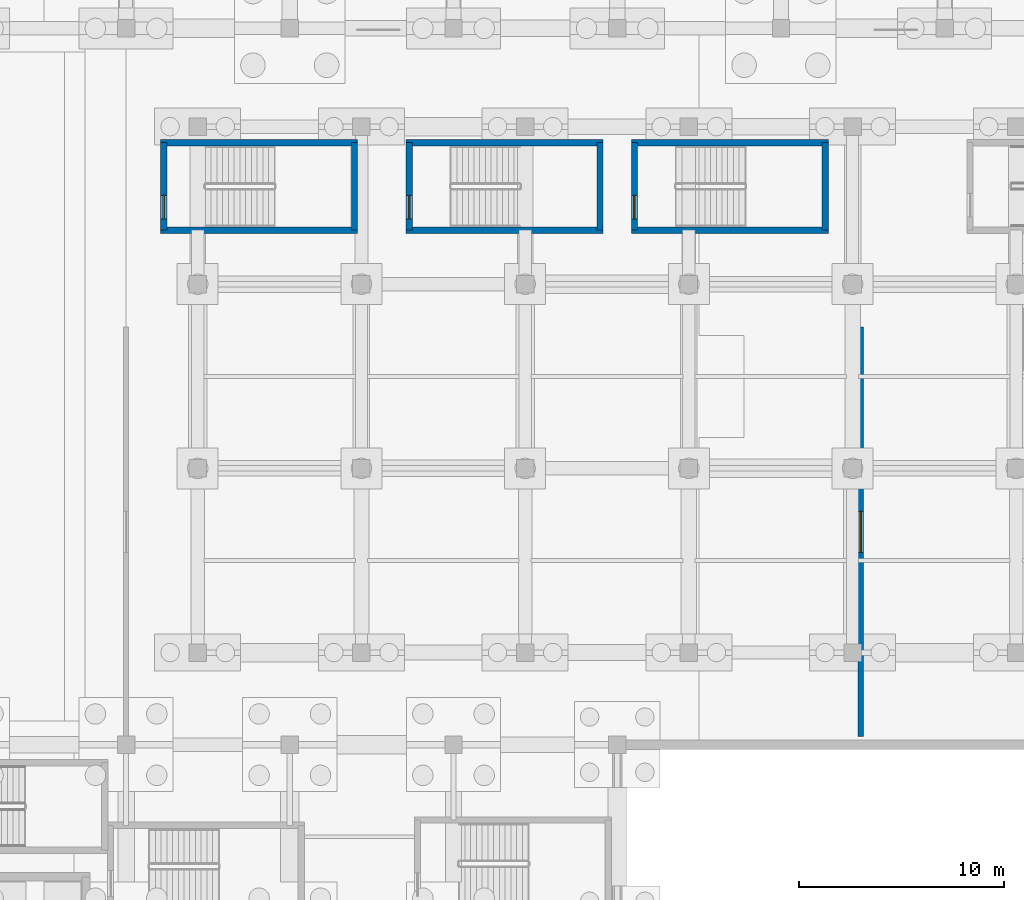
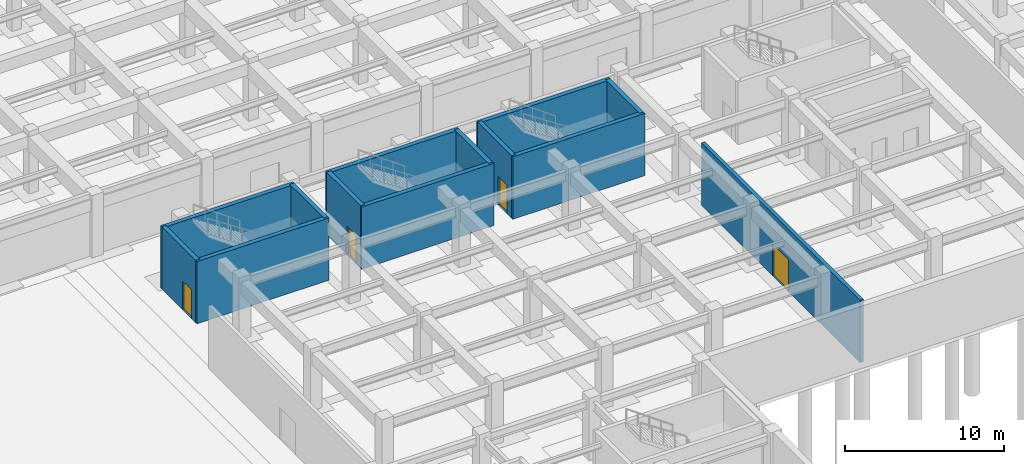
# One storey, part 31 of 48: 13 walls, 4 doors, 4 openings.
"""IFC4 building model written with IfcOpenShell, lengths in metres."""

from ifc_helpers import new_model, si_unit, direction, frame, frame_2d, origin, place, context, subcontext, project, spatial, rectangle, extrude, material, layer, layer_set, type_object, element, fill, save


model = new_model("IFC4")

# Units and contexts
model_context = context("Model", 3, precision=1e-05, world=origin(), true_north=direction((0.0, 1.0)))
body_context = subcontext(model_context, "Body", "Model", "MODEL_VIEW")
ifc_project = project(units=[si_unit("LENGTHUNIT", "METRE"), si_unit("AREAUNIT", "SQUARE_METRE"), si_unit("VOLUMEUNIT", "CUBIC_METRE"), si_unit("PLANEANGLEUNIT", "RADIAN"), si_unit("MASSUNIT", "GRAM", prefix="KILO")], contexts=[model_context])

# Site, building, storey
site_placement = place(None, origin())
site = spatial("IfcSite", under=ifc_project, at=site_placement, CompositionType="ELEMENT")
building_placement = place(site_placement, origin())
building = spatial("IfcBuilding", under=site, at=building_placement, Name="Tlacozan Convention Centre", CompositionType="ELEMENT")
storey_placement = place(building_placement, frame((0.0, 0.0, -4.800048828125)))
storey = spatial("IfcBuildingStorey", under=building, at=storey_placement, Name="B01", CompositionType="ELEMENT", Elevation=-4.800048828125)

# Wall, opening, door
ifc_material_1 = material(Name="Concrete C40/50", Category="concrete")
ifc_layer_1 = layer(ifc_material_1, 0.260009765625)
ifc_layer_set_1 = layer_set([ifc_layer_1], Name="Concrete C40/50")
wall_type_1 = type_object("IfcWallType", Name="Compartment Rated Wall RC 260", PredefinedType="SOLIDWALL", material=ifc_layer_set_1)
wall_1_placement = place(storey_placement, frame((123.89990234375, 27.39990234375, 0.0), z_axis=(0.0, 0.0, 1.0), x_axis=(0.0, 1.0, 0.0)))
wall_1 = element("IfcWall", 1, at=wall_1_placement, inside=storey, type_object=wall_type_1, Name="B01 Compartment Rated Wall RC 260 570", PredefinedType="SOLIDWALL", context=body_context, shape_type="SweptSolid", body=[
    extrude(rectangle(XDim=20.0, YDim=0.260009765625, at=frame_2d((10.0, 0.0))), origin(), (0.0, 0.0, 1.0), 4.800048828125),
])
opening_1_placement = place(wall_1_placement, frame((9.0, 0.0, 0.0)))
opening_1 = element("IfcOpeningElement", 2, at=opening_1_placement, cuts=wall_1, Name="Opening ID-12", PredefinedType="OPENING", context=body_context, shape_type="SweptSolid", body=[
    extrude(rectangle(XDim=2.0, YDim=2.449951171875, at=frame_2d((1.0, 1.22509765625))), frame((0.0, 0.139892578125, 0.0), z_axis=(0.0, -1.0, 0.0), x_axis=(1.0, 0.0, 0.0)), (0.0, 0.0, 1.0), 0.280029296875),
])
ifc_material_2 = material(Name="Fire-Rated Insulated Steel Door Leaf", Category="steel")
door_type_1 = type_object("IfcDoorType", Name="Plant Equipment Double Door 2000x2450", OperationType="DOUBLE_DOOR_SINGLE_SWING", PredefinedType="DOOR", material=ifc_material_2)
door_1_placement = place(opening_1_placement, origin())
door_1 = element("IfcDoor", 3, at=door_1_placement, inside=storey, type_object=door_type_1, Name="B01 Plant Equipment Double Door 2000x2450 156", OperationType="DOUBLE_DOOR_SINGLE_SWING", OverallHeight=2.449951171875, OverallWidth=2.0, PredefinedType="DOOR", context=body_context, shape_type="SweptSolid", body=[
    extrude(rectangle(XDim=2.0, YDim=2.449951171875, at=frame_2d((1.0, 1.22509765625))), frame((0.0, 0.02490234375, 0.0), z_axis=(0.0, -1.0, 0.0), x_axis=(1.0, 0.0, 0.0)), (0.0, 0.0, 1.0), 0.050048828125),
])
fill(opening_1, door_1)

# Walls
ifc_layer_2 = layer(ifc_material_1, 0.31005859375)
ifc_layer_set_2 = layer_set([ifc_layer_2], Name="Concrete C40/50")
wall_type_2 = type_object("IfcWallType", Name="Stair Shaft Shear Wall RC 310", PredefinedType="SHEAR", material=ifc_layer_set_2)
for number, where, z_axis, x_axis, name in (
    (4, (89.68505859375, 52.139892578125, 0.0), (0.0, 0.0, 1.0), (1.0, 0.0, 0.0), "B01 Stair Shaft Shear Wall RC 310 377"),
    (5, (89.68505859375, 56.419921875, 0.0), (0.0, 0.0, 1.0), (1.0, 0.0, 0.0), "B01 Stair Shaft Shear Wall RC 310 378"),
):
    element("IfcWall", number, at=place(storey_placement, frame(where, z_axis=z_axis, x_axis=x_axis)), inside=storey, type_object=wall_type_2, Name=name, PredefinedType="SHEAR", context=body_context, shape_type="SweptSolid", body=[
        extrude(rectangle(XDim=9.6298828125, YDim=0.31005859375, at=frame_2d((4.81494140625, 0.0))), origin(), (0.0, 0.0, 1.0), 4.800048828125),
    ])

# Wall, opening, door
wall_2_placement = place(storey_placement, frame((89.840087890625, 52.139892578125, 0.0), z_axis=(0.0, 0.0, 1.0), x_axis=(0.0, 1.0, 0.0)))
wall_2 = element("IfcWall", 6, at=wall_2_placement, inside=storey, type_object=wall_type_2, Name="B01 Stair Shaft Shear Wall RC 310 379", PredefinedType="SHEAR", context=body_context, shape_type="SweptSolid", body=[
    extrude(rectangle(XDim=4.280029296875, YDim=0.31005859375, at=frame_2d((2.14013671875, 0.0))), origin(), (0.0, 0.0, 1.0), 4.800048828125),
])
opening_2_placement = place(wall_2_placement, frame((0.550048828125, 0.0, 0.0)))
opening_2 = element("IfcOpeningElement", 7, at=opening_2_placement, cuts=wall_2, Name="Opening FD-02", PredefinedType="OPENING", context=body_context, shape_type="SweptSolid", body=[
    extrude(rectangle(XDim=1.14990234375, YDim=2.199951171875, at=frame_2d((0.574951171875, 1.10009765625))), frame((0.0, 0.1650390625, 0.0), z_axis=(0.0, -1.0, 0.0), x_axis=(1.0, 0.0, 0.0)), (0.0, 0.0, 1.0), 0.330078125),
])
door_type_2 = type_object("IfcDoorType", Name="Fire Door Stair 1150x2200 FD90", OperationType="NOTDEFINED", PredefinedType="DOOR", material=ifc_material_2)
door_2_placement = place(opening_2_placement, origin())
door_2 = element("IfcDoor", 8, at=door_2_placement, inside=storey, type_object=door_type_2, Name="B01 Stair ST-06 Access Door", OperationType="SINGLE_SWING_LEFT", OverallHeight=2.199951171875, OverallWidth=1.14990234375, PredefinedType="DOOR", context=body_context, shape_type="SweptSolid", body=[
    extrude(rectangle(XDim=1.14990234375, YDim=2.199951171875, at=frame_2d((0.574951171875, 1.10009765625))), frame((0.0, 0.02490234375, 0.0), z_axis=(0.0, -1.0, 0.0), x_axis=(1.0, 0.0, 0.0)), (0.0, 0.0, 1.0), 0.050048828125),
])
fill(opening_2, door_2)

# Walls
wall_3_placement = place(storey_placement, frame((99.159912109375, 52.139892578125, 0.0), z_axis=(0.0, 0.0, 1.0), x_axis=(0.0, 1.0, 0.0)))
element("IfcWall", 9, at=wall_3_placement, inside=storey, type_object=wall_type_2, Name="B01 Stair Shaft Shear Wall RC 310 380", PredefinedType="SHEAR", context=body_context, shape_type="SweptSolid", body=[
    extrude(rectangle(XDim=4.280029296875, YDim=0.31005859375, at=frame_2d((2.14013671875, 0.0))), origin(), (0.0, 0.0, 1.0), 4.800048828125),
])
for number, where, z_axis, x_axis, name in (
    (10, (101.68505859375, 52.139892578125, 0.0), (0.0, 0.0, 1.0), (1.0, 0.0, 0.0), "B01 Stair Shaft Shear Wall RC 310 397"),
    (11, (101.68505859375, 56.419921875, 0.0), (0.0, 0.0, 1.0), (1.0, 0.0, 0.0), "B01 Stair Shaft Shear Wall RC 310 398"),
):
    element("IfcWall", number, at=place(storey_placement, frame(where, z_axis=z_axis, x_axis=x_axis)), inside=storey, type_object=wall_type_2, Name=name, PredefinedType="SHEAR", context=body_context, shape_type="SweptSolid", body=[
        extrude(rectangle(XDim=9.6298828125, YDim=0.31005859375, at=frame_2d((4.81494140625, 0.0))), origin(), (0.0, 0.0, 1.0), 4.800048828125),
    ])

# Wall, opening, door
wall_4_placement = place(storey_placement, frame((101.840087890625, 52.139892578125, 0.0), z_axis=(0.0, 0.0, 1.0), x_axis=(0.0, 1.0, 0.0)))
wall_4 = element("IfcWall", 12, at=wall_4_placement, inside=storey, type_object=wall_type_2, Name="B01 Stair Shaft Shear Wall RC 310 399", PredefinedType="SHEAR", context=body_context, shape_type="SweptSolid", body=[
    extrude(rectangle(XDim=4.280029296875, YDim=0.31005859375, at=frame_2d((2.14013671875, 0.0))), origin(), (0.0, 0.0, 1.0), 4.800048828125),
])
opening_3_placement = place(wall_4_placement, frame((0.550048828125, 0.0, 0.0)))
opening_3 = element("IfcOpeningElement", 13, at=opening_3_placement, cuts=wall_4, Name="Opening FD-02", PredefinedType="OPENING", context=body_context, shape_type="SweptSolid", body=[
    extrude(rectangle(XDim=1.14990234375, YDim=2.199951171875, at=frame_2d((0.574951171875, 1.10009765625))), frame((0.0, 0.1650390625, 0.0), z_axis=(0.0, -1.0, 0.0), x_axis=(1.0, 0.0, 0.0)), (0.0, 0.0, 1.0), 0.330078125),
])
door_3_placement = place(opening_3_placement, origin())
door_3 = element("IfcDoor", 14, at=door_3_placement, inside=storey, type_object=door_type_2, Name="B01 Stair ST-17 Access Door", OperationType="SINGLE_SWING_RIGHT", OverallHeight=2.199951171875, OverallWidth=1.14990234375, PredefinedType="DOOR", context=body_context, shape_type="SweptSolid", body=[
    extrude(rectangle(XDim=1.14990234375, YDim=2.199951171875, at=frame_2d((0.574951171875, 1.10009765625))), frame((0.0, 0.02490234375, 0.0), z_axis=(0.0, -1.0, 0.0), x_axis=(1.0, 0.0, 0.0)), (0.0, 0.0, 1.0), 0.050048828125),
])
fill(opening_3, door_3)

# Walls
wall_5_placement = place(storey_placement, frame((111.159912109375, 52.139892578125, 0.0), z_axis=(0.0, 0.0, 1.0), x_axis=(0.0, 1.0, 0.0)))
element("IfcWall", 15, at=wall_5_placement, inside=storey, type_object=wall_type_2, Name="B01 Stair Shaft Shear Wall RC 310 400", PredefinedType="SHEAR", context=body_context, shape_type="SweptSolid", body=[
    extrude(rectangle(XDim=4.280029296875, YDim=0.31005859375, at=frame_2d((2.14013671875, 0.0))), origin(), (0.0, 0.0, 1.0), 4.800048828125),
])
for number, where, z_axis, x_axis, name in (
    (16, (112.68505859375, 52.139892578125, 0.0), (0.0, 0.0, 1.0), (1.0, 0.0, 0.0), "B01 Stair Shaft Shear Wall RC 310 417"),
    (17, (112.68505859375, 56.419921875, 0.0), (0.0, 0.0, 1.0), (1.0, 0.0, 0.0), "B01 Stair Shaft Shear Wall RC 310 418"),
):
    element("IfcWall", number, at=place(storey_placement, frame(where, z_axis=z_axis, x_axis=x_axis)), inside=storey, type_object=wall_type_2, Name=name, PredefinedType="SHEAR", context=body_context, shape_type="SweptSolid", body=[
        extrude(rectangle(XDim=9.6298828125, YDim=0.31005859375, at=frame_2d((4.81494140625, 0.0))), origin(), (0.0, 0.0, 1.0), 4.800048828125),
    ])

# Wall, opening, door
wall_6_placement = place(storey_placement, frame((112.840087890625, 52.139892578125, 0.0), z_axis=(0.0, 0.0, 1.0), x_axis=(0.0, 1.0, 0.0)))
wall_6 = element("IfcWall", 18, at=wall_6_placement, inside=storey, type_object=wall_type_2, Name="B01 Stair Shaft Shear Wall RC 310 419", PredefinedType="SHEAR", context=body_context, shape_type="SweptSolid", body=[
    extrude(rectangle(XDim=4.280029296875, YDim=0.31005859375, at=frame_2d((2.14013671875, 0.0))), origin(), (0.0, 0.0, 1.0), 4.800048828125),
])
opening_4_placement = place(wall_6_placement, frame((0.550048828125, 0.0, 0.0)))
opening_4 = element("IfcOpeningElement", 19, at=opening_4_placement, cuts=wall_6, Name="Opening FD-02", PredefinedType="OPENING", context=body_context, shape_type="SweptSolid", body=[
    extrude(rectangle(XDim=1.14990234375, YDim=2.199951171875, at=frame_2d((0.574951171875, 1.10009765625))), frame((0.0, 0.1650390625, 0.0), z_axis=(0.0, -1.0, 0.0), x_axis=(1.0, 0.0, 0.0)), (0.0, 0.0, 1.0), 0.330078125),
])
door_4_placement = place(opening_4_placement, origin())
door_4 = element("IfcDoor", 20, at=door_4_placement, inside=storey, type_object=door_type_2, Name="B01 Stair ST-18 Access Door", OperationType="SINGLE_SWING_LEFT", OverallHeight=2.199951171875, OverallWidth=1.14990234375, PredefinedType="DOOR", context=body_context, shape_type="SweptSolid", body=[
    extrude(rectangle(XDim=1.14990234375, YDim=2.199951171875, at=frame_2d((0.574951171875, 1.10009765625))), frame((0.0, 0.02490234375, 0.0), z_axis=(0.0, -1.0, 0.0), x_axis=(1.0, 0.0, 0.0)), (0.0, 0.0, 1.0), 0.050048828125),
])
fill(opening_4, door_4)

# Wall
wall_7_placement = place(storey_placement, frame((122.159912109375, 52.139892578125, 0.0), z_axis=(0.0, 0.0, 1.0), x_axis=(0.0, 1.0, 0.0)))
element("IfcWall", 21, at=wall_7_placement, inside=storey, type_object=wall_type_2, Name="B01 Stair Shaft Shear Wall RC 310 420", PredefinedType="SHEAR", context=body_context, shape_type="SweptSolid", body=[
    extrude(rectangle(XDim=4.280029296875, YDim=0.31005859375, at=frame_2d((2.14013671875, 0.0))), origin(), (0.0, 0.0, 1.0), 4.800048828125),
])

save(model, "model.ifc")
